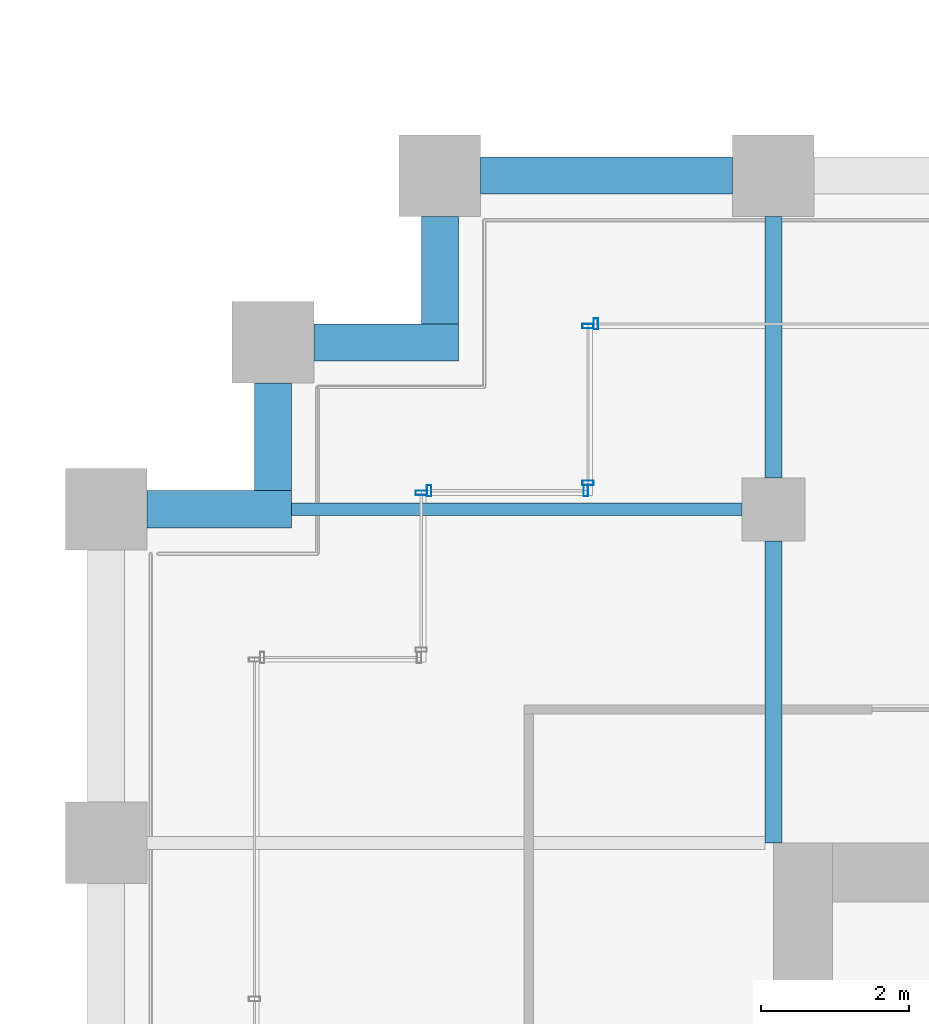
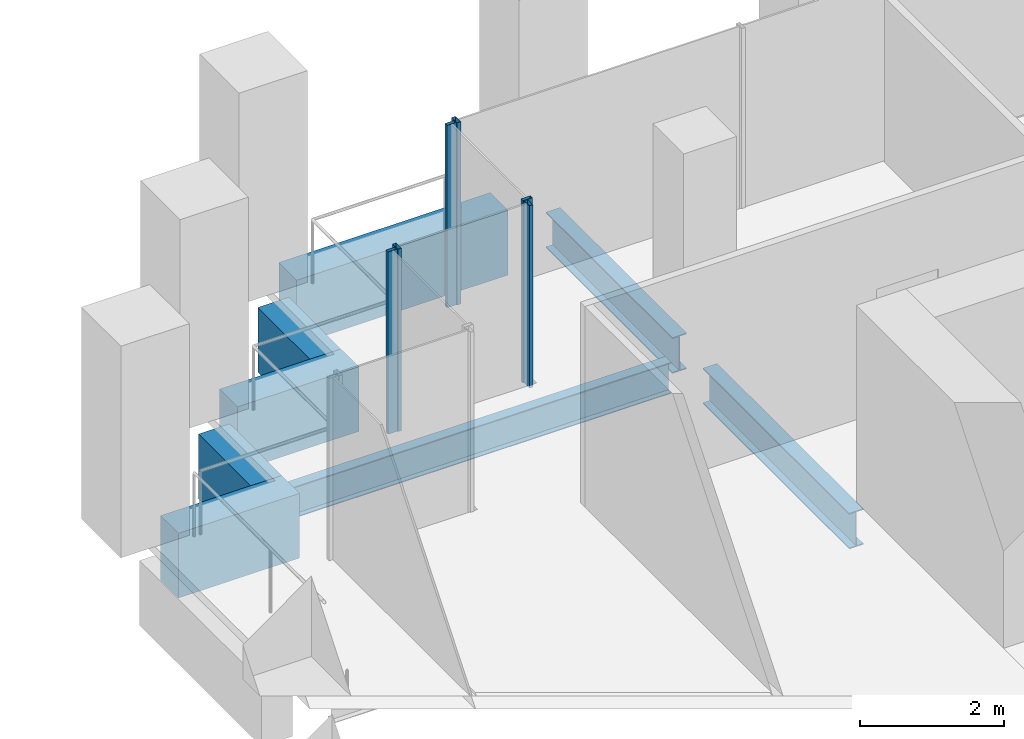
# One storey, part 41 of 54: 8 beams, 6 members, 4 elements without a shape of their own.
"""IFC4 building model written with IfcOpenShell, lengths in metres."""

from ifc_helpers import new_model, si_unit, direction, frame, origin, origin_2d, place, context, subcontext, project, spatial, rectangle, hollow_rectangle, i_section, extrude, material, material_profile, profile_set, type_object, element, aggregate, save


model = new_model("IFC4")

# Units and contexts
model_context = context("Model", 3, precision=1e-05, world=origin(), true_north=direction((0.0, 1.0)))
body_context = subcontext(model_context, "Body", "Model", "MODEL_VIEW")
ifc_project = project(units=[si_unit("LENGTHUNIT", "METRE"), si_unit("AREAUNIT", "SQUARE_METRE"), si_unit("VOLUMEUNIT", "CUBIC_METRE"), si_unit("PLANEANGLEUNIT", "RADIAN"), si_unit("MASSUNIT", "GRAM", prefix="KILO")], contexts=[model_context])

# Site, building, storey
site_placement = place(None, origin())
site = spatial("IfcSite", under=ifc_project, at=site_placement, CompositionType="ELEMENT")
building_placement = place(site_placement, origin())
building = spatial("IfcBuilding", under=site, at=building_placement, Name="Altepetl Exchange Towers", CompositionType="ELEMENT")
storey_placement = place(building_placement, frame((0.0, 0.0, 61.800048828125)))
storey = spatial("IfcBuildingStorey", under=building, at=storey_placement, Name="L14", CompositionType="ELEMENT", Elevation=61.800048828125)

# Beams
ifc_material_1 = material(Name="Steel S355", Category="steel")
ifc_material_profile_1 = material_profile(ifc_material_1, i_section(OverallWidth=0.166015625, OverallDepth=0.529052734375, WebThickness=0.009765625, FlangeThickness=0.013671875, at=origin_2d()), Name="W21X50")
ifc_profile_set_1 = profile_set([ifc_material_profile_1], Name="Steel S355")
beam_type_1 = type_object("IfcBeamType", Name="Floor beam W21X50", PredefinedType="BEAM", material=ifc_profile_set_1)
beam_1_placement = place(storey_placement, frame((97.0, 54.0, -0.41455078125), z_axis=(1.0, 0.0, 0.0), x_axis=(0.0, 1.0, 0.0)))
element("IfcBeam", 1, at=beam_1_placement, inside=storey, type_object=beam_type_1, Name="bm:B:L14:015", PredefinedType="BEAM", context=body_context, shape_type="SweptSolid", body=[
    extrude(i_section(OverallWidth=0.166015625, OverallDepth=0.529052734375, WebThickness=0.009765625, FlangeThickness=0.013671875, at=origin_2d()), origin(), (0.0, 0.0, 1.0), 6.074951171875),
])
ifc_material_profile_2 = material_profile(ifc_material_1, i_section(OverallWidth=0.22802734375, OverallDepth=0.60791015625, WebThickness=0.01123046875, FlangeThickness=0.017333984375, at=origin_2d()), Name="W24X76")
ifc_profile_set_2 = profile_set([ifc_material_profile_2], Name="Steel S355")
beam_type_2 = type_object("IfcBeamType", Name="Girder W24X76", PredefinedType="BEAM", material=ifc_profile_set_2)
beam_2_placement = place(storey_placement, frame((103.5, 57.949951171875, -0.4541015625), z_axis=(0.0, -1.0, 0.0), x_axis=(1.0, 0.0, 0.0)))
element("IfcBeam", 2, at=beam_2_placement, inside=storey, type_object=beam_type_2, Name="gd:B:L14:002", PredefinedType="BEAM", context=body_context, shape_type="SweptSolid", body=[
    extrude(i_section(OverallWidth=0.22802734375, OverallDepth=0.60791015625, WebThickness=0.01123046875, FlangeThickness=0.017333984375, at=origin_2d()), origin(), (0.0, 0.0, 1.0), 3.52490234375),
])
beam_3_placement = place(storey_placement, frame((103.5, 53.574951171875, -0.4541015625), z_axis=(0.0, -1.0, 0.0), x_axis=(1.0, 0.0, 0.0)))
element("IfcBeam", 3, at=beam_3_placement, inside=storey, type_object=beam_type_2, Name="gd:B:L14:003", PredefinedType="BEAM", context=body_context, shape_type="SweptSolid", body=[
    extrude(i_section(OverallWidth=0.22802734375, OverallDepth=0.60791015625, WebThickness=0.01123046875, FlangeThickness=0.017333984375, at=origin_2d()), origin(), (0.0, 0.0, 1.0), 4.074951171875),
])

# Curtain wall, member
ifc_material_2 = material(Name="Aluminium 6063-T6 glazing", Category="aluminium")
curtain_wall_type = type_object("IfcCurtainWallType", Name="Loggia glazing system", PredefinedType="NOTDEFINED", material=ifc_material_2)
curtain_wall_1_placement = place(storey_placement, origin())
curtain_wall_1 = element("IfcCurtainWall", 4, at=curtain_wall_1_placement, inside=storey, type_object=curtain_wall_type, Name="CW1 run", PredefinedType="NOTDEFINED")
ifc_material_3 = material(Name="Aluminium 6063-T6", Category="aluminium")
ifc_material_profile_3 = material_profile(ifc_material_3, hollow_rectangle(XDim=0.06005859375, YDim=0.14990234375, WallThickness=0.0029296875, at=origin_2d()), Name="Mullion 60x150 aluminium")
ifc_profile_set_3 = profile_set([ifc_material_profile_3], Name="Aluminium 6063-T6")
member_type = type_object("IfcMemberType", Name="Mullion 60x150 aluminium", PredefinedType="MULLION", material=ifc_profile_set_3)
member_1_placement = place(storey_placement, frame((101.10498046875, 56.5, 0.0), z_axis=(0.0, 0.0, 1.0), x_axis=(-1.0, 0.0, 0.0)))
member_1 = element("IfcMember", 5, at=member_1_placement, type_object=member_type, Name="MU1 mullion", PredefinedType="MULLION", context=body_context, shape_type="SweptSolid", body=[
    extrude(hollow_rectangle(XDim=0.06005859375, YDim=0.14990234375, WallThickness=0.0029296875, at=origin_2d()), origin(), (0.0, 0.0, 1.0), 3.099853515625),
])
aggregate(curtain_wall_1, [member_1])

# Curtain wall, members
curtain_wall_2_placement = place(storey_placement, origin())
curtain_wall_2 = element("IfcCurtainWall", 6, at=curtain_wall_2_placement, inside=storey, type_object=curtain_wall_type, Name="CW1 run", PredefinedType="NOTDEFINED")
member_2_placement = place(storey_placement, frame((101.0, 56.469970703125, 0.0), z_axis=(0.0, 0.0, 1.0), x_axis=(0.0, -1.0, 0.0)))
member_2 = element("IfcMember", 7, at=member_2_placement, type_object=member_type, Name="MU1 mullion", PredefinedType="MULLION", context=body_context, shape_type="SweptSolid", body=[
    extrude(hollow_rectangle(XDim=0.06005859375, YDim=0.14990234375, WallThickness=0.0029296875, at=origin_2d()), origin(), (0.0, 0.0, 1.0), 3.099853515625),
])
member_3_placement = place(storey_placement, frame((101.0, 54.35498046875, 0.0), z_axis=(0.0, 0.0, 1.0), x_axis=(0.0, -1.0, 0.0)))
member_3 = element("IfcMember", 8, at=member_3_placement, type_object=member_type, Name="MU1 mullion", PredefinedType="MULLION", context=body_context, shape_type="SweptSolid", body=[
    extrude(hollow_rectangle(XDim=0.06005859375, YDim=0.14990234375, WallThickness=0.0029296875, at=origin_2d()), origin(), (0.0, 0.0, 1.0), 3.099853515625),
])
aggregate(curtain_wall_2, [member_2, member_3])

curtain_wall_3_placement = place(storey_placement, origin())
curtain_wall_3 = element("IfcCurtainWall", 9, at=curtain_wall_3_placement, inside=storey, type_object=curtain_wall_type, Name="CW1 run", PredefinedType="NOTDEFINED")
member_4_placement = place(storey_placement, frame((100.969970703125, 54.25, 0.0), z_axis=(0.0, 0.0, 1.0), x_axis=(-1.0, 0.0, 0.0)))
member_4 = element("IfcMember", 10, at=member_4_placement, type_object=member_type, Name="MU1 mullion", PredefinedType="MULLION", context=body_context, shape_type="SweptSolid", body=[
    extrude(hollow_rectangle(XDim=0.06005859375, YDim=0.14990234375, WallThickness=0.0029296875, at=origin_2d()), origin(), (0.0, 0.0, 1.0), 3.099853515625),
])
member_5_placement = place(storey_placement, frame((98.85498046875, 54.25, 0.0), z_axis=(0.0, 0.0, 1.0), x_axis=(-1.0, 0.0, 0.0)))
member_5 = element("IfcMember", 11, at=member_5_placement, type_object=member_type, Name="MU1 mullion", PredefinedType="MULLION", context=body_context, shape_type="SweptSolid", body=[
    extrude(hollow_rectangle(XDim=0.06005859375, YDim=0.14990234375, WallThickness=0.0029296875, at=origin_2d()), origin(), (0.0, 0.0, 1.0), 3.099853515625),
])
aggregate(curtain_wall_3, [member_4, member_5])

# Curtain wall, member
curtain_wall_4_placement = place(storey_placement, origin())
curtain_wall_4 = element("IfcCurtainWall", 12, at=curtain_wall_4_placement, inside=storey, type_object=curtain_wall_type, Name="CW1 run", PredefinedType="NOTDEFINED")
member_6_placement = place(storey_placement, frame((98.75, 54.219970703125, 0.0), z_axis=(0.0, 0.0, 1.0), x_axis=(0.0, -1.0, 0.0)))
member_6 = element("IfcMember", 13, at=member_6_placement, type_object=member_type, Name="MU1 mullion", PredefinedType="MULLION", context=body_context, shape_type="SweptSolid", body=[
    extrude(hollow_rectangle(XDim=0.06005859375, YDim=0.14990234375, WallThickness=0.0029296875, at=origin_2d()), origin(), (0.0, 0.0, 1.0), 3.099853515625),
])
aggregate(curtain_wall_4, [member_6])

# Beams
ifc_material_4 = material(Name="Concrete C50/60 precast with cantera rosa facing", Category="concrete")
ifc_material_profile_4 = material_profile(ifc_material_4, rectangle(XDim=0.5, YDim=1.10009765625, at=origin_2d()), Name="500 x 1100")
ifc_profile_set_4 = profile_set([ifc_material_profile_4], Name="Concrete C50/60 precast with cantera rosa facing")
beam_type_3 = type_object("IfcBeamType", Name="Spandrel beam 500x1100 cantera rosa", PredefinedType="SPANDREL", material=ifc_profile_set_4)
beam_4_placement = place(storey_placement, frame((102.949951171875, 58.5, -0.699951171875), z_axis=(-1.0, 0.0, 0.0), x_axis=(0.0, -1.0, 0.0)))
element("IfcBeam", 14, at=beam_4_placement, inside=storey, type_object=beam_type_3, Name="sp:B:L14:022", PredefinedType="SPANDREL", context=body_context, shape_type="SweptSolid", body=[
    extrude(rectangle(XDim=0.5, YDim=1.10009765625, at=origin_2d()), origin(), (0.0, 0.0, 1.0), 3.39990234375),
])
beam_5_placement = place(storey_placement, frame((99.0, 57.949951171875, -0.699951171875), z_axis=(0.0, -1.0, 0.0), x_axis=(1.0, 0.0, 0.0)))
element("IfcBeam", 15, at=beam_5_placement, inside=storey, type_object=beam_type_3, Name="sp:B:L14:023", PredefinedType="SPANDREL", context=body_context, shape_type="SweptSolid", body=[
    extrude(rectangle(XDim=0.5, YDim=1.10009765625, at=origin_2d()), origin(), (0.0, 0.0, 1.0), 1.449951171875),
])
beam_6_placement = place(storey_placement, frame((99.25, 56.25, -0.699951171875), z_axis=(-1.0, 0.0, 0.0), x_axis=(0.0, -1.0, 0.0)))
element("IfcBeam", 16, at=beam_6_placement, inside=storey, type_object=beam_type_3, Name="sp:B:L14:024", PredefinedType="SPANDREL", context=body_context, shape_type="SweptSolid", body=[
    extrude(rectangle(XDim=0.5, YDim=1.10009765625, at=origin_2d()), origin(), (0.0, 0.0, 1.0), 1.949951171875),
])
beam_7_placement = place(storey_placement, frame((96.75, 55.699951171875, -0.699951171875), z_axis=(0.0, -1.0, 0.0), x_axis=(1.0, 0.0, 0.0)))
element("IfcBeam", 17, at=beam_7_placement, inside=storey, type_object=beam_type_3, Name="sp:B:L14:025", PredefinedType="SPANDREL", context=body_context, shape_type="SweptSolid", body=[
    extrude(rectangle(XDim=0.5, YDim=1.10009765625, at=origin_2d()), origin(), (0.0, 0.0, 1.0), 1.449951171875),
])
beam_8_placement = place(storey_placement, frame((97.0, 54.0, -0.699951171875), z_axis=(-1.0, 0.0, 0.0), x_axis=(0.0, -1.0, 0.0)))
element("IfcBeam", 18, at=beam_8_placement, inside=storey, type_object=beam_type_3, Name="sp:B:L14:026", PredefinedType="SPANDREL", context=body_context, shape_type="SweptSolid", body=[
    extrude(rectangle(XDim=0.5, YDim=1.10009765625, at=origin_2d()), origin(), (0.0, 0.0, 1.0), 1.949951171875),
])

save(model, "model.ifc")
